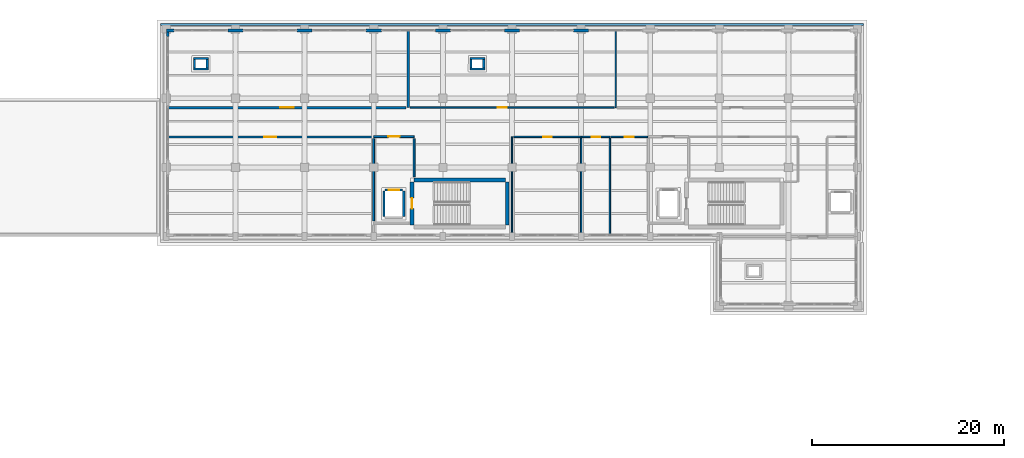
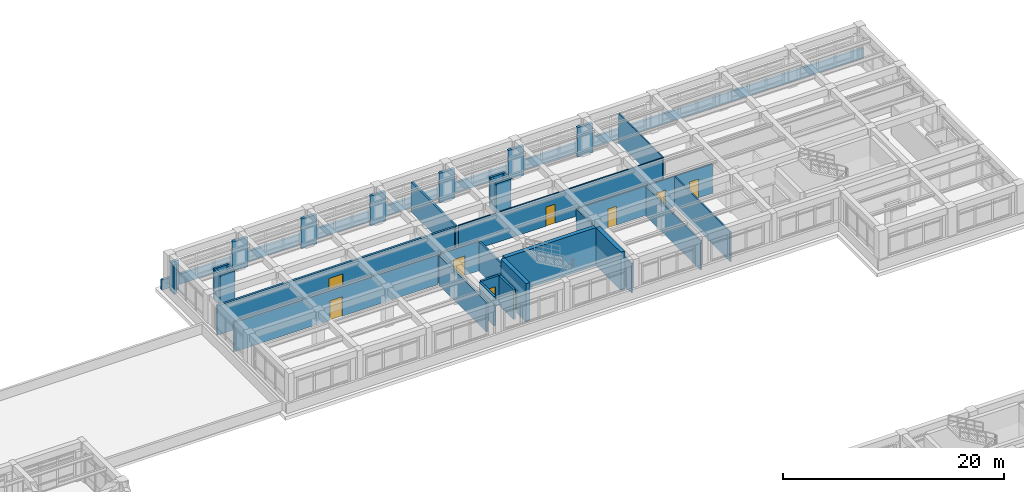
# One storey, part 53 of 69: 37 walls, 9 doors, 9 openings.
"""IFC4 building model written with IfcOpenShell, lengths in metres."""

from ifc_helpers import new_model, si_unit, direction, frame, frame_2d, origin, place, context, subcontext, project, spatial, rectangle, extrude, material, layer, layer_set, type_object, element, fill, save


model = new_model("IFC4")

# Units and contexts
model_context = context("Model", 3, precision=1e-05, world=origin(), true_north=direction((0.0, 1.0)))
body_context = subcontext(model_context, "Body", "Model", "MODEL_VIEW")
ifc_project = project(units=[si_unit("LENGTHUNIT", "METRE"), si_unit("AREAUNIT", "SQUARE_METRE"), si_unit("VOLUMEUNIT", "CUBIC_METRE"), si_unit("PLANEANGLEUNIT", "RADIAN"), si_unit("MASSUNIT", "GRAM", prefix="KILO")], contexts=[model_context])

# Site, building, storey
site_placement = place(None, origin())
site = spatial("IfcSite", under=ifc_project, at=site_placement, CompositionType="ELEMENT")
building_placement = place(site_placement, origin())
building = spatial("IfcBuilding", under=site, at=building_placement, Name="Solenvale Faculty of Natural Sciences", CompositionType="ELEMENT")
storey_placement = place(building_placement, frame((0.0, 0.0, 4.5)))
storey = spatial("IfcBuildingStorey", under=building, at=storey_placement, Name="L01", CompositionType="ELEMENT", Elevation=4.5)

# Walls
ifc_material_1 = material(Name="Precast concrete 40 MPa", Category="concrete")
ifc_layer_1 = layer(ifc_material_1, 0.284912109375)
ifc_layer_set_1 = layer_set([ifc_layer_1], Name="Precast concrete 40 MPa")
wall_type_1 = type_object("IfcWallType", Name="WL-EXT-PRC-285", PredefinedType="STANDARD", material=ifc_layer_set_1)
for number, where, z_axis, x_axis, name in (
    (1, (123.18798828125, 115.0576171875, 0.0), (0.0, 0.0, 1.0), (-1.0, 0.0, 0.0), "L01 Facade Closure Pier 4.B4-R"),
    (2, (115.988037109375, 115.0576171875, 0.0), (0.0, 0.0, 1.0), (-1.0, 0.0, 0.0), "L01 Facade Closure Pier 4.B5-R"),
):
    element("IfcWall", number, at=place(storey_placement, frame(where, z_axis=z_axis, x_axis=x_axis)), inside=storey, type_object=wall_type_1, Name=name, PredefinedType="STANDARD", context=body_context, shape_type="SweptSolid", body=[
        extrude(rectangle(XDim=1.575927734375, YDim=0.284912109375, at=frame_2d((0.7880859375, 0.0))), origin(), (0.0, 0.0, 1.0), 3.260009765625),
    ])
wall_1_placement = place(storey_placement, frame((108.7880859375, 115.0576171875, 0.0), z_axis=(0.0, 0.0, 1.0), x_axis=(-1.0, 0.0, 0.0)))
element("IfcWall", 3, at=wall_1_placement, inside=storey, type_object=wall_type_1, Name="L01 Facade Closure Pier 4.B6-R", PredefinedType="STANDARD", context=body_context, shape_type="SweptSolid", body=[
    extrude(rectangle(XDim=1.576171875, YDim=0.284912109375, at=frame_2d((0.7880859375, 0.0))), origin(), (0.0, 0.0, 1.0), 3.260009765625),
])
for number, where, z_axis, x_axis, name in (
    (4, (101.587890625, 115.0576171875, 0.0), (0.0, 0.0, 1.0), (-1.0, 0.0, 0.0), "L01 Facade Closure Pier 4.B7-R"),
    (5, (94.387939453125, 115.0576171875, 0.0), (0.0, 0.0, 1.0), (-1.0, 0.0, 0.0), "L01 Facade Closure Pier 4.B8-R"),
    (6, (87.18798828125, 115.0576171875, 0.0), (0.0, 0.0, 1.0), (-1.0, 0.0, 0.0), "L01 Facade Closure Pier 4.B9-R"),
):
    element("IfcWall", number, at=place(storey_placement, frame(where, z_axis=z_axis, x_axis=x_axis)), inside=storey, type_object=wall_type_1, Name=name, PredefinedType="STANDARD", context=body_context, shape_type="SweptSolid", body=[
        extrude(rectangle(XDim=1.575927734375, YDim=0.284912109375, at=frame_2d((0.7880859375, 0.0))), origin(), (0.0, 0.0, 1.0), 3.260009765625),
    ])
wall_2_placement = place(storey_placement, frame((79.988037109375, 115.0576171875, 0.0), z_axis=(0.0, 0.0, 1.0), x_axis=(-1.0, 0.0, 0.0)))
element("IfcWall", 7, at=wall_2_placement, inside=storey, type_object=wall_type_1, Name="L01 Facade Closure Pier 4.B10-R", PredefinedType="STANDARD", context=body_context, shape_type="SweptSolid", body=[
    extrude(rectangle(XDim=0.7880859375, YDim=0.284912109375, at=frame_2d((0.39404296875, 0.0))), origin(), (0.0, 0.0, 1.0), 3.260009765625),
])
wall_3_placement = place(storey_placement, frame((79.342529296875, 114.9150390625, 0.0), z_axis=(0.0, 0.0, 1.0), x_axis=(0.0, -1.0, 0.0)))
element("IfcWall", 8, at=wall_3_placement, inside=storey, type_object=wall_type_1, Name="L01 Facade Closure Pier 5.B1-L", PredefinedType="STANDARD", context=body_context, shape_type="SweptSolid", body=[
    extrude(rectangle(XDim=0.5029296875, YDim=0.284912109375, at=frame_2d((0.25146484375, 0.0))), origin(), (0.0, 0.0, 1.0), 3.260009765625),
])

# Wall, opening, door
ifc_material_2 = material(Name="Gypsum fire-rated shaftwall")
ifc_layer_2 = layer(ifc_material_2, 0.205078125)
ifc_layer_set_2 = layer_set([ifc_layer_2], Name="Gypsum fire-rated shaftwall")
wall_type_2 = type_object("IfcWallType", Name="WL-FFL-205", PredefinedType="PARTITIONING", material=ifc_layer_set_2)
wall_4_placement = place(storey_placement, frame((100.800048828125, 104.0, 0.0), z_axis=(0.0, 0.0, 1.0), x_axis=(1.0, 0.0, 0.0)))
wall_4 = element("IfcWall", 9, at=wall_4_placement, inside=storey, type_object=wall_type_2, Name="L01 Firefighting Lobby C4 Partition 1", PredefinedType="PARTITIONING", context=body_context, shape_type="SweptSolid", body=[
    extrude(rectangle(XDim=4.199951171875, YDim=0.205078125, at=frame_2d((2.10009765625, 0.0))), origin(), (0.0, 0.0, 1.0), 3.260009765625),
])
opening_1_placement = place(wall_4_placement, frame((1.5, 0.0, 0.0)))
opening_1 = element("IfcOpeningElement", 10, at=opening_1_placement, cuts=wall_4, Name="Opening D-L01-01", PredefinedType="OPENING", context=body_context, shape_type="SweptSolid", body=[
    extrude(rectangle(XDim=1.199951171875, YDim=2.14990234375, at=frame_2d((0.60009765625, 1.074951171875))), frame((0.0, 0.112548828125, 0.0), z_axis=(0.0, -1.0, 0.0), x_axis=(1.0, 0.0, 0.0)), (0.0, 0.0, 1.0), 0.22509765625),
])
ifc_material_3 = material(Name="Galvanised steel S355", Category="steel")
door_type_1 = type_object("IfcDoorType", Name="DR-FFL-1200x2150", OperationType="NOTDEFINED", PredefinedType="DOOR", material=ifc_material_3)
door_1_placement = place(opening_1_placement, origin())
door_1 = element("IfcDoor", 11, at=door_1_placement, inside=storey, type_object=door_type_1, Name="L01 Firefighting Lobby C4 Door", OperationType="SINGLE_SWING_RIGHT", OverallHeight=2.14990234375, OverallWidth=1.199951171875, PredefinedType="DOOR", context=body_context, shape_type="SweptSolid", body=[
    extrude(rectangle(XDim=1.199951171875, YDim=2.14990234375, at=frame_2d((0.60009765625, 1.074951171875))), frame((0.0, 0.02490234375, 0.0), z_axis=(0.0, -1.0, 0.0), x_axis=(1.0, 0.0, 0.0)), (0.0, 0.0, 1.0), 0.050048828125),
])
fill(opening_1, door_1)

# Walls
wall_5_placement = place(storey_placement, frame((105.0, 103.782958984375, 0.0), z_axis=(0.0, 0.0, 1.0), x_axis=(0.0, -1.0, 0.0)))
element("IfcWall", 12, at=wall_5_placement, inside=storey, type_object=wall_type_2, Name="L01 Firefighting Lobby C4 Partition 2", PredefinedType="PARTITIONING", context=body_context, shape_type="SweptSolid", body=[
    extrude(rectangle(XDim=3.9580078125, YDim=0.205078125, at=frame_2d((1.97900390625, 0.0))), origin(), (0.0, 0.0, 1.0), 3.260009765625),
])
wall_6_placement = place(storey_placement, frame((100.800048828125, 95.217041015625, 0.0), z_axis=(0.0, 0.0, 1.0), x_axis=(0.0, 1.0, 0.0)))
element("IfcWall", 13, at=wall_6_placement, inside=storey, type_object=wall_type_2, Name="L01 Firefighting Lobby C4 Partition 21", PredefinedType="PARTITIONING", context=body_context, shape_type="SweptSolid", body=[
    extrude(rectangle(XDim=8.56591796875, YDim=0.205078125, at=frame_2d((4.282958984375, 0.0))), origin(), (0.0, 0.0, 1.0), 3.260009765625),
])

# Wall, opening, door
ifc_material_4 = material(Name="Gypsum fire-rated laboratory partition")
ifc_layer_3 = layer(ifc_material_4, 0.2119140625)
ifc_layer_set_3 = layer_set([ifc_layer_3], Name="Gypsum fire-rated laboratory partition")
wall_type_3 = type_object("IfcWallType", Name="WL-LAB-212", PredefinedType="PARTITIONING", material=ifc_layer_set_3)
wall_7_placement = place(storey_placement, frame((79.383056640625, 103.97998046875, 0.0), z_axis=(0.0, 0.0, 1.0), x_axis=(1.0, 0.0, 0.0)))
wall_7 = element("IfcWall", 14, at=wall_7_placement, inside=storey, type_object=wall_type_3, Name="L01 Earth Sciences Teaching Laboratory Partition 2", PredefinedType="PARTITIONING", context=body_context, shape_type="SweptSolid", body=[
    extrude(rectangle(XDim=21.298828125, YDim=0.2119140625, at=frame_2d((10.6494140625, 0.0))), origin(), (0.0, 0.0, 1.0), 3.260009765625),
])
opening_2_placement = place(wall_7_placement, frame((10.010009765625, 0.0, 0.0)))
opening_2 = element("IfcOpeningElement", 15, at=opening_2_placement, cuts=wall_7, Name="Opening D-L01-14", PredefinedType="OPENING", context=body_context, shape_type="SweptSolid", body=[
    extrude(rectangle(XDim=1.280029296875, YDim=2.14990234375, at=frame_2d((0.64013671875, 1.074951171875))), frame((0.0, 0.115966796875, 0.0), z_axis=(0.0, -1.0, 0.0), x_axis=(1.0, 0.0, 0.0)), (0.0, 0.0, 1.0), 0.23193359375),
])
ifc_material_5 = material(Name="Oak acoustic timber leaf", Category="wood")
door_type_2 = type_object("IfcDoorType", Name="DR-LAB-1280x2150", OperationType="NOTDEFINED", PredefinedType="DOOR", material=ifc_material_5)
door_2_placement = place(opening_2_placement, origin())
door_2 = element("IfcDoor", 16, at=door_2_placement, inside=storey, type_object=door_type_2, Name="L01 Earth Sciences Teaching Laboratory Door", OperationType="SINGLE_SWING_LEFT", OverallHeight=2.14990234375, OverallWidth=1.280029296875, PredefinedType="DOOR", context=body_context, shape_type="SweptSolid", body=[
    extrude(rectangle(XDim=1.280029296875, YDim=2.14990234375, at=frame_2d((0.64013671875, 1.074951171875))), frame((0.0, 0.02490234375, 0.0), z_axis=(0.0, -1.0, 0.0), x_axis=(1.0, 0.0, 0.0)), (0.0, 0.0, 1.0), 0.050048828125),
])
fill(opening_2, door_2)

# Wall
ifc_layer_4 = layer(ifc_material_4, 0.22802734375)
ifc_layer_set_4 = layer_set([ifc_layer_4], Name="Gypsum fire-rated laboratory partition")
wall_type_4 = type_object("IfcWallType", Name="WL-LAB-228", PredefinedType="PARTITIONING", material=ifc_layer_set_4)
wall_8_placement = place(storey_placement, frame((104.39990234375, 115.01708984375, 0.0), z_axis=(0.0, 0.0, 1.0), x_axis=(0.0, -1.0, 0.0)))
element("IfcWall", 17, at=wall_8_placement, inside=storey, type_object=wall_type_4, Name="L01 Molecular Biology Research Laboratory Partition 3", PredefinedType="PARTITIONING", context=body_context, shape_type="SweptSolid", body=[
    extrude(rectangle(XDim=7.9970703125, YDim=0.22802734375, at=frame_2d((3.99853515625, 0.0))), origin(), (0.0, 0.0, 1.0), 3.260009765625),
])

# Wall, opening, door
wall_9_placement = place(storey_placement, frame((104.159912109375, 107.02001953125, 0.0), z_axis=(0.0, 0.0, 1.0), x_axis=(-1.0, 0.0, 0.0)))
wall_9 = element("IfcWall", 18, at=wall_9_placement, inside=storey, type_object=wall_type_4, Name="L01 Molecular Biology Research Laboratory Partition 4", PredefinedType="PARTITIONING", context=body_context, shape_type="SweptSolid", body=[
    extrude(rectangle(XDim=24.77685546875, YDim=0.22802734375, at=frame_2d((12.388427734375, 0.0))), origin(), (0.0, 0.0, 1.0), 3.260009765625),
])
opening_3_placement = place(wall_9_placement, frame((11.6640625, 0.0, 0.0)))
opening_3 = element("IfcOpeningElement", 19, at=opening_3_placement, cuts=wall_9, Name="Opening D-L01-19", PredefinedType="OPENING", context=body_context, shape_type="SweptSolid", body=[
    extrude(rectangle(XDim=1.449951171875, YDim=2.199951171875, at=frame_2d((0.72509765625, 1.10009765625))), frame((0.0, 0.1240234375, 0.0), z_axis=(0.0, -1.0, 0.0), x_axis=(1.0, 0.0, 0.0)), (0.0, 0.0, 1.0), 0.248046875),
])
door_type_3 = type_object("IfcDoorType", Name="DR-LAB-1450x2200", OperationType="NOTDEFINED", PredefinedType="DOOR", material=ifc_material_5)
door_3_placement = place(opening_3_placement, origin())
door_3 = element("IfcDoor", 20, at=door_3_placement, inside=storey, type_object=door_type_3, Name="L01 Molecular Biology Research Laboratory Door", OperationType="SINGLE_SWING_RIGHT", OverallHeight=2.199951171875, OverallWidth=1.449951171875, PredefinedType="DOOR", context=body_context, shape_type="SweptSolid", body=[
    extrude(rectangle(XDim=1.449951171875, YDim=2.199951171875, at=frame_2d((0.72509765625, 1.10009765625))), frame((0.0, 0.02490234375, 0.0), z_axis=(0.0, -1.0, 0.0), x_axis=(1.0, 0.0, 0.0)), (0.0, 0.0, 1.0), 0.050048828125),
])
fill(opening_3, door_3)

# Wall
ifc_material_6 = material(Name="Acoustic stud gypsum partition")
ifc_layer_5 = layer(ifc_material_6, 0.139892578125)
ifc_layer_set_5 = layer_set([ifc_layer_5], Name="Acoustic stud gypsum partition")
wall_type_5 = type_object("IfcWallType", Name="WL-OFF-140", PredefinedType="PARTITIONING", material=ifc_layer_set_5)
wall_10_placement = place(storey_placement, frame((126.0, 115.01708984375, 0.0), z_axis=(0.0, 0.0, 1.0), x_axis=(0.0, -1.0, 0.0)))
element("IfcWall", 21, at=wall_10_placement, inside=storey, type_object=wall_type_5, Name="L01 Faculty Staff Office Partition 3", PredefinedType="PARTITIONING", context=body_context, shape_type="SweptSolid", body=[
    extrude(rectangle(XDim=7.9970703125, YDim=0.139892578125, at=frame_2d((3.99853515625, 0.0))), origin(), (0.0, 0.0, 1.0), 3.260009765625),
])

# Wall, opening, door
wall_11_placement = place(storey_placement, frame((125.847900390625, 107.02001953125, 0.0), z_axis=(0.0, 0.0, 1.0), x_axis=(-1.0, 0.0, 0.0)))
wall_11 = element("IfcWall", 22, at=wall_11_placement, inside=storey, type_object=wall_type_5, Name="L01 Faculty Staff Office Partition 4", PredefinedType="PARTITIONING", context=body_context, shape_type="SweptSolid", body=[
    extrude(rectangle(XDim=21.251953125, YDim=0.139892578125, at=frame_2d((10.6259765625, 0.0))), origin(), (0.0, 0.0, 1.0), 3.260009765625),
])
opening_4_placement = place(wall_11_placement, frame((11.200927734375, 0.0, 0.0)))
opening_4 = element("IfcOpeningElement", 23, at=opening_4_placement, cuts=wall_11, Name="Opening D-L01-20", PredefinedType="OPENING", context=body_context, shape_type="SweptSolid", body=[
    extrude(rectangle(XDim=0.949951171875, YDim=2.10009765625, at=frame_2d((0.47509765625, 1.050048828125))), frame((0.0, 0.079833984375, 0.0), z_axis=(0.0, -1.0, 0.0), x_axis=(1.0, 0.0, 0.0)), (0.0, 0.0, 1.0), 0.159912109375),
])
door_type_4 = type_object("IfcDoorType", Name="DR-OFF-0950x2100", OperationType="NOTDEFINED", PredefinedType="DOOR", material=ifc_material_5)
door_4_placement = place(opening_4_placement, origin())
door_4 = element("IfcDoor", 24, at=door_4_placement, inside=storey, type_object=door_type_4, Name="L01 Faculty Staff Office Door", OperationType="SINGLE_SWING_LEFT", OverallHeight=2.10009765625, OverallWidth=0.949951171875, PredefinedType="DOOR", context=body_context, shape_type="SweptSolid", body=[
    extrude(rectangle(XDim=0.949951171875, YDim=2.10009765625, at=frame_2d((0.47509765625, 1.050048828125))), frame((0.0, 0.02490234375, 0.0), z_axis=(0.0, -1.0, 0.0), x_axis=(1.0, 0.0, 0.0)), (0.0, 0.0, 1.0), 0.050048828125),
])
fill(opening_4, door_4)

wall_12_placement = place(storey_placement, frame((125.48193359375, 103.97998046875, 0.0), z_axis=(0.0, 0.0, 1.0), x_axis=(1.0, 0.0, 0.0)))
wall_12 = element("IfcWall", 25, at=wall_12_placement, inside=storey, type_object=wall_type_5, Name="L01 Instrument Preparation Room Partition 2", PredefinedType="PARTITIONING", context=body_context, shape_type="SweptSolid", body=[
    extrude(rectangle(XDim=3.836181640625, YDim=0.139892578125, at=frame_2d((1.91796875, 0.0))), origin(), (0.0, 0.0, 1.0), 3.260009765625),
])
opening_5_placement = place(wall_12_placement, frame((1.43798828125, 0.0, 0.0)))
opening_5 = element("IfcOpeningElement", 26, at=opening_5_placement, cuts=wall_12, Name="Opening D-L01-24", PredefinedType="OPENING", context=body_context, shape_type="SweptSolid", body=[
    extrude(rectangle(XDim=0.9599609375, YDim=2.10009765625, at=frame_2d((0.47998046875, 1.050048828125))), frame((0.0, 0.079833984375, 0.0), z_axis=(0.0, -1.0, 0.0), x_axis=(1.0, 0.0, 0.0)), (0.0, 0.0, 1.0), 0.159912109375),
])
door_type_5 = type_object("IfcDoorType", Name="DR-OFF-0960x2100", OperationType="NOTDEFINED", PredefinedType="DOOR", material=ifc_material_5)
door_5_placement = place(opening_5_placement, origin())
door_5 = element("IfcDoor", 27, at=door_5_placement, inside=storey, type_object=door_type_5, Name="L01 Instrument Preparation Room Door", OperationType="SINGLE_SWING_LEFT", OverallHeight=2.10009765625, OverallWidth=0.9599609375, PredefinedType="DOOR", context=body_context, shape_type="SweptSolid", body=[
    extrude(rectangle(XDim=0.9599609375, YDim=2.10009765625, at=frame_2d((0.47998046875, 1.050048828125))), frame((0.0, 0.02490234375, 0.0), z_axis=(0.0, -1.0, 0.0), x_axis=(1.0, 0.0, 0.0)), (0.0, 0.0, 1.0), 0.050048828125),
])
fill(opening_5, door_5)

# Wall
ifc_material_7 = material(Name="Architectural bronze concrete 40 MPa", Category="concrete")
ifc_layer_6 = layer(ifc_material_7, 0.239990234375)
ifc_layer_set_6 = layer_set([ifc_layer_6], Name="Architectural bronze concrete 40 MPa")
wall_type_6 = type_object("IfcWallType", Name="WL-PAR-BRZ-240", PredefinedType="PARAPET", material=ifc_layer_set_6)
wall_13_placement = place(storey_placement, frame((78.60009765625, 115.679931640625, 0.0), z_axis=(0.0, 0.0, 1.0), x_axis=(1.0, 0.0, 0.0)))
element("IfcWall", 28, at=wall_13_placement, inside=storey, type_object=wall_type_6, Name="L01 Tower Horizontal Concrete Band 9", PredefinedType="PARAPET", context=body_context, shape_type="SweptSolid", body=[
    extrude(rectangle(XDim=73.199951171875, YDim=0.239990234375, at=frame_2d((36.60009765625, 0.0))), origin(), (0.0, 0.0, 1.0), 1.1201171875),
])

# Wall, opening, door
ifc_material_8 = material(Name="Concrete 40 MPa", Category="concrete")
ifc_layer_7 = layer(ifc_material_8, 0.219970703125)
ifc_layer_set_7 = layer_set([ifc_layer_7], Name="Concrete 40 MPa")
wall_type_7 = type_object("IfcWallType", Name="WL-SHF-220", PredefinedType="STANDARD", material=ifc_layer_set_7)
wall_14_placement = place(storey_placement, frame((101.97998046875, 98.429931640625, 0.0), z_axis=(0.0, 0.0, 1.0), x_axis=(1.0, 0.0, 0.0)))
wall_14 = element("IfcWall", 29, at=wall_14_placement, inside=storey, type_object=wall_type_7, Name="Elevator LF-01 L01 Shaft Wall N", PredefinedType="STANDARD", context=body_context, shape_type="SweptSolid", body=[
    extrude(rectangle(XDim=1.840087890625, YDim=0.219970703125, at=frame_2d((0.919921875, 0.0))), origin(), (0.0, 0.0, 1.0), 3.260009765625),
])
opening_6_placement = place(wall_14_placement, frame((0.3701171875, 0.0, 0.0)))
opening_6 = element("IfcOpeningElement", 30, at=opening_6_placement, cuts=wall_14, Name="Opening LD-LF-01-L01", PredefinedType="OPENING", context=body_context, shape_type="SweptSolid", body=[
    extrude(rectangle(XDim=1.10009765625, YDim=2.14990234375, at=frame_2d((0.550048828125, 1.074951171875))), frame((0.0, 0.119873046875, 0.0), z_axis=(0.0, -1.0, 0.0), x_axis=(1.0, 0.0, 0.0)), (0.0, 0.0, 1.0), 0.239990234375),
])
ifc_material_9 = material(Name="Stainless steel Grade 304", Category="steel")
door_type_6 = type_object("IfcDoorType", Name="DR-LIFT-1100x2150", OperationType="NOTDEFINED", PredefinedType="DOOR", material=ifc_material_9)
door_6_placement = place(opening_6_placement, origin())
door_6 = element("IfcDoor", 31, at=door_6_placement, inside=storey, type_object=door_type_6, Name="Elevator LF-01 L01 Sliding Landing Door", OperationType="SLIDING_TO_RIGHT", OverallHeight=2.14990234375, OverallWidth=1.10009765625, PredefinedType="DOOR", context=body_context, shape_type="SweptSolid", body=[
    extrude(rectangle(XDim=1.10009765625, YDim=2.14990234375, at=frame_2d((0.550048828125, 1.074951171875))), frame((0.0, 0.02490234375, 0.0), z_axis=(0.0, -1.0, 0.0), x_axis=(1.0, 0.0, 0.0)), (0.0, 0.0, 1.0), 0.050048828125),
])
fill(opening_6, door_6)

# Walls
for number, where, z_axis, x_axis, name in (
    (32, (101.8701171875, 95.679931640625, 0.0), (0.0, 0.0, 1.0), (0.0, 1.0, 0.0), "Elevator LF-01 L01 Shaft Wall W"),
    (33, (103.929931640625, 95.679931640625, 0.0), (0.0, 0.0, 1.0), (0.0, 1.0, 0.0), "Elevator LF-01 L01 Shaft Wall E"),
):
    element("IfcWall", number, at=place(storey_placement, frame(where, z_axis=z_axis, x_axis=x_axis)), inside=storey, type_object=wall_type_7, Name=name, PredefinedType="STANDARD", context=body_context, shape_type="SweptSolid", body=[
        extrude(rectangle(XDim=2.64013671875, YDim=0.219970703125, at=frame_2d((1.320068359375, 0.0))), origin(), (0.0, 0.0, 1.0), 3.260009765625),
    ])
for number, where, z_axis, x_axis, name in (
    (34, (82.030029296875, 111.0400390625, 0.0), (0.0, 0.0, 1.0), (1.0, 0.0, 0.0), "L01 Service Riser Shaft 6 Wall S"),
    (35, (82.030029296875, 112.159912109375, 0.0), (0.0, 0.0, 1.0), (1.0, 0.0, 0.0), "L01 Service Riser Shaft 6 Wall N"),
):
    element("IfcWall", number, at=place(storey_placement, frame(where, z_axis=z_axis, x_axis=x_axis)), inside=storey, type_object=wall_type_7, Name=name, PredefinedType="STANDARD", context=body_context, shape_type="SweptSolid", body=[
        extrude(rectangle(XDim=1.5400390625, YDim=0.219970703125, at=frame_2d((0.77001953125, 0.0))), origin(), (0.0, 0.0, 1.0), 3.260009765625),
    ])
for number, where, z_axis, x_axis, name in (
    (36, (82.139892578125, 111.14990234375, 0.0), (0.0, 0.0, 1.0), (0.0, 1.0, 0.0), "L01 Service Riser Shaft 6 Wall W"),
    (37, (83.4599609375, 111.14990234375, 0.0), (0.0, 0.0, 1.0), (0.0, 1.0, 0.0), "L01 Service Riser Shaft 6 Wall E"),
):
    element("IfcWall", number, at=place(storey_placement, frame(where, z_axis=z_axis, x_axis=x_axis)), inside=storey, type_object=wall_type_7, Name=name, PredefinedType="STANDARD", context=body_context, shape_type="SweptSolid", body=[
        extrude(rectangle(XDim=0.900146484375, YDim=0.219970703125, at=frame_2d((0.4501953125, 0.0))), origin(), (0.0, 0.0, 1.0), 3.260009765625),
    ])
for number, where, z_axis, x_axis, name in (
    (38, (110.830078125, 111.0400390625, 0.0), (0.0, 0.0, 1.0), (1.0, 0.0, 0.0), "L01 Service Riser Shaft 7 Wall S"),
    (39, (110.830078125, 112.159912109375, 0.0), (0.0, 0.0, 1.0), (1.0, 0.0, 0.0), "L01 Service Riser Shaft 7 Wall N"),
):
    element("IfcWall", number, at=place(storey_placement, frame(where, z_axis=z_axis, x_axis=x_axis)), inside=storey, type_object=wall_type_7, Name=name, PredefinedType="STANDARD", context=body_context, shape_type="SweptSolid", body=[
        extrude(rectangle(XDim=1.5400390625, YDim=0.219970703125, at=frame_2d((0.77001953125, 0.0))), origin(), (0.0, 0.0, 1.0), 3.260009765625),
    ])
for number, where, z_axis, x_axis, name in (
    (40, (110.93994140625, 111.14990234375, 0.0), (0.0, 0.0, 1.0), (0.0, 1.0, 0.0), "L01 Service Riser Shaft 7 Wall W"),
    (41, (112.260009765625, 111.14990234375, 0.0), (0.0, 0.0, 1.0), (0.0, 1.0, 0.0), "L01 Service Riser Shaft 7 Wall E"),
):
    element("IfcWall", number, at=place(storey_placement, frame(where, z_axis=z_axis, x_axis=x_axis)), inside=storey, type_object=wall_type_7, Name=name, PredefinedType="STANDARD", context=body_context, shape_type="SweptSolid", body=[
        extrude(rectangle(XDim=0.900146484375, YDim=0.219970703125, at=frame_2d((0.4501953125, 0.0))), origin(), (0.0, 0.0, 1.0), 3.260009765625),
    ])
ifc_material_10 = material(Name="Concrete 50 MPa", Category="concrete")
ifc_layer_8 = layer(ifc_material_10, 0.409912109375)
ifc_layer_set_8 = layer_set([ifc_layer_8], Name="Concrete 50 MPa")
wall_type_8 = type_object("IfcWallType", Name="WL-SHR-410", PredefinedType="SHEAR", material=ifc_layer_set_8)
wall_15_placement = place(storey_placement, frame((105.0, 99.5048828125, 0.0), z_axis=(0.0, 0.0, 1.0), x_axis=(1.0, 0.0, 0.0)))
element("IfcWall", 42, at=wall_15_placement, inside=storey, type_object=wall_type_8, Name="Core C4 L01 Shear Wall N", PredefinedType="SHEAR", context=body_context, shape_type="SweptSolid", body=[
    extrude(rectangle(XDim=9.5, YDim=0.409912109375, at=frame_2d((4.75, 0.0))), origin(), (0.0, 0.0, 1.0), 4.219970703125),
])

# Wall, opening, door
wall_16_placement = place(storey_placement, frame((104.794921875, 94.800048828125, 0.0), z_axis=(0.0, 0.0, 1.0), x_axis=(0.0, 1.0, 0.0)))
wall_16 = element("IfcWall", 43, at=wall_16_placement, inside=storey, type_object=wall_type_8, Name="Core C4 L01 Shear Wall W", PredefinedType="SHEAR", context=body_context, shape_type="SweptSolid", body=[
    extrude(rectangle(XDim=4.5, YDim=0.409912109375, at=frame_2d((2.25, 0.0))), origin(), (0.0, 0.0, 1.0), 4.219970703125),
])
opening_7_placement = place(wall_16_placement, frame((1.699951171875, 0.0, 0.0)))
opening_7 = element("IfcOpeningElement", 44, at=opening_7_placement, cuts=wall_16, Name="Opening DS-C4-L01", PredefinedType="OPENING", context=body_context, shape_type="SweptSolid", body=[
    extrude(rectangle(XDim=1.10009765625, YDim=2.14990234375, at=frame_2d((0.550048828125, 1.074951171875))), frame((0.0, 0.21484375, 0.0), z_axis=(0.0, -1.0, 0.0), x_axis=(1.0, 0.0, 0.0)), (0.0, 0.0, 1.0), 0.429931640625),
])
door_type_7 = type_object("IfcDoorType", Name="DR-STAIR-1100x2150", OperationType="NOTDEFINED", PredefinedType="DOOR", material=ifc_material_3)
door_7_placement = place(opening_7_placement, origin())
door_7 = element("IfcDoor", 45, at=door_7_placement, inside=storey, type_object=door_type_7, Name="L01 Stair ST-04 Fire Door", OperationType="SINGLE_SWING_RIGHT", OverallHeight=2.14990234375, OverallWidth=1.10009765625, PredefinedType="DOOR", context=body_context, shape_type="SweptSolid", body=[
    extrude(rectangle(XDim=1.10009765625, YDim=2.14990234375, at=frame_2d((0.550048828125, 1.074951171875))), frame((0.0, 0.02490234375, 0.0), z_axis=(0.0, -1.0, 0.0), x_axis=(1.0, 0.0, 0.0)), (0.0, 0.0, 1.0), 0.050048828125),
])
fill(opening_7, door_7)

# Walls
wall_17_placement = place(storey_placement, frame((114.705078125, 94.800048828125, 0.0), z_axis=(0.0, 0.0, 1.0), x_axis=(0.0, 1.0, 0.0)))
element("IfcWall", 46, at=wall_17_placement, inside=storey, type_object=wall_type_8, Name="Core C4 L01 Shear Wall E", PredefinedType="SHEAR", context=body_context, shape_type="SweptSolid", body=[
    extrude(rectangle(XDim=4.5, YDim=0.409912109375, at=frame_2d((2.25, 0.0))), origin(), (0.0, 0.0, 1.0), 4.219970703125),
])
ifc_material_11 = material(Name="Moisture-resistant tile partition")
ifc_layer_9 = layer(ifc_material_11, 0.14990234375)
ifc_layer_set_9 = layer_set([ifc_layer_9], Name="Moisture-resistant tile partition")
wall_type_9 = type_object("IfcWallType", Name="WL-WC-150", PredefinedType="PARTITIONING", material=ifc_layer_set_9)
wall_18_placement = place(storey_placement, frame((115.199951171875, 93.971923828125, 0.0), z_axis=(0.0, 0.0, 1.0), x_axis=(0.0, 1.0, 0.0)))
element("IfcWall", 47, at=wall_18_placement, inside=storey, type_object=wall_type_9, Name="L01 Public Washroom Partition 1", PredefinedType="PARTITIONING", context=body_context, shape_type="SweptSolid", body=[
    extrude(rectangle(XDim=10.008056640625, YDim=0.14990234375, at=frame_2d((5.00390625, 0.0))), origin(), (0.0, 0.0, 1.0), 3.260009765625),
])

# Wall, opening, door
wall_19_placement = place(storey_placement, frame((115.362060546875, 103.97998046875, 0.0), z_axis=(0.0, 0.0, 1.0), x_axis=(1.0, 0.0, 0.0)))
wall_19 = element("IfcWall", 48, at=wall_19_placement, inside=storey, type_object=wall_type_9, Name="L01 Public Washroom Partition 2", PredefinedType="PARTITIONING", context=body_context, shape_type="SweptSolid", body=[
    extrude(rectangle(XDim=7.037841796875, YDim=0.14990234375, at=frame_2d((3.51904296875, 0.0))), origin(), (0.0, 0.0, 1.0), 3.260009765625),
])
opening_8_placement = place(wall_19_placement, frame((3.0791015625, 0.0, 0.0)))
opening_8 = element("IfcOpeningElement", 49, at=opening_8_placement, cuts=wall_19, Name="Opening D-L01-22", PredefinedType="OPENING", context=body_context, shape_type="SweptSolid", body=[
    extrude(rectangle(XDim=0.8798828125, YDim=2.10009765625, at=frame_2d((0.43994140625, 1.050048828125))), frame((0.0, 0.0849609375, 0.0), z_axis=(0.0, -1.0, 0.0), x_axis=(1.0, 0.0, 0.0)), (0.0, 0.0, 1.0), 0.169921875),
])
door_type_8 = type_object("IfcDoorType", Name="DR-WC-0880x2100", OperationType="NOTDEFINED", PredefinedType="DOOR", material=ifc_material_5)
door_8_placement = place(opening_8_placement, origin())
door_8 = element("IfcDoor", 50, at=door_8_placement, inside=storey, type_object=door_type_8, Name="L01 Public Washroom Door", OperationType="SINGLE_SWING_LEFT", OverallHeight=2.10009765625, OverallWidth=0.8798828125, PredefinedType="DOOR", context=body_context, shape_type="SweptSolid", body=[
    extrude(rectangle(XDim=0.8798828125, YDim=2.10009765625, at=frame_2d((0.43994140625, 1.050048828125))), frame((0.0, 0.02490234375, 0.0), z_axis=(0.0, -1.0, 0.0), x_axis=(1.0, 0.0, 0.0)), (0.0, 0.0, 1.0), 0.050048828125),
])
fill(opening_8, door_8)

# Wall
wall_20_placement = place(storey_placement, frame((122.39990234375, 103.818115234375, 0.0), z_axis=(0.0, 0.0, 1.0), x_axis=(0.0, -1.0, 0.0)))
element("IfcWall", 51, at=wall_20_placement, inside=storey, type_object=wall_type_9, Name="L01 Public Washroom Partition 3", PredefinedType="PARTITIONING", context=body_context, shape_type="SweptSolid", body=[
    extrude(rectangle(XDim=9.84619140625, YDim=0.14990234375, at=frame_2d((4.923095703125, 0.0))), origin(), (0.0, 0.0, 1.0), 3.260009765625),
])

# Wall, opening, door
wall_21_placement = place(storey_placement, frame((122.487060546875, 103.97998046875, 0.0), z_axis=(0.0, 0.0, 1.0), x_axis=(1.0, 0.0, 0.0)))
wall_21 = element("IfcWall", 52, at=wall_21_placement, inside=storey, type_object=wall_type_9, Name="L01 Accessible Washroom Partition 2", PredefinedType="PARTITIONING", context=body_context, shape_type="SweptSolid", body=[
    extrude(rectangle(XDim=2.912841796875, YDim=0.14990234375, at=frame_2d((1.45654296875, 0.0))), origin(), (0.0, 0.0, 1.0), 3.260009765625),
])
opening_9_placement = place(wall_21_placement, frame((1.007080078125, 0.0, 0.0)))
opening_9 = element("IfcOpeningElement", 53, at=opening_9_placement, cuts=wall_21, Name="Opening D-L01-23", PredefinedType="OPENING", context=body_context, shape_type="SweptSolid", body=[
    extrude(rectangle(XDim=0.89990234375, YDim=2.10009765625, at=frame_2d((0.449951171875, 1.050048828125))), frame((0.0, 0.0849609375, 0.0), z_axis=(0.0, -1.0, 0.0), x_axis=(1.0, 0.0, 0.0)), (0.0, 0.0, 1.0), 0.169921875),
])
door_type_9 = type_object("IfcDoorType", Name="DR-WC-0900x2100", OperationType="NOTDEFINED", PredefinedType="DOOR", material=ifc_material_5)
door_9_placement = place(opening_9_placement, origin())
door_9 = element("IfcDoor", 54, at=door_9_placement, inside=storey, type_object=door_type_9, Name="L01 Accessible Washroom Door", OperationType="SINGLE_SWING_RIGHT", OverallHeight=2.10009765625, OverallWidth=0.89990234375, PredefinedType="DOOR", context=body_context, shape_type="SweptSolid", body=[
    extrude(rectangle(XDim=0.89990234375, YDim=2.10009765625, at=frame_2d((0.449951171875, 1.050048828125))), frame((0.0, 0.02490234375, 0.0), z_axis=(0.0, -1.0, 0.0), x_axis=(1.0, 0.0, 0.0)), (0.0, 0.0, 1.0), 0.050048828125),
])
fill(opening_9, door_9)

# Wall
wall_22_placement = place(storey_placement, frame((125.39990234375, 103.818115234375, 0.0), z_axis=(0.0, 0.0, 1.0), x_axis=(0.0, -1.0, 0.0)))
element("IfcWall", 55, at=wall_22_placement, inside=storey, type_object=wall_type_9, Name="L01 Accessible Washroom Partition 3", PredefinedType="PARTITIONING", context=body_context, shape_type="SweptSolid", body=[
    extrude(rectangle(XDim=10.03515625, YDim=0.14990234375, at=frame_2d((5.017578125, 0.0))), origin(), (0.0, 0.0, 1.0), 3.260009765625),
])

save(model, "model.ifc")
